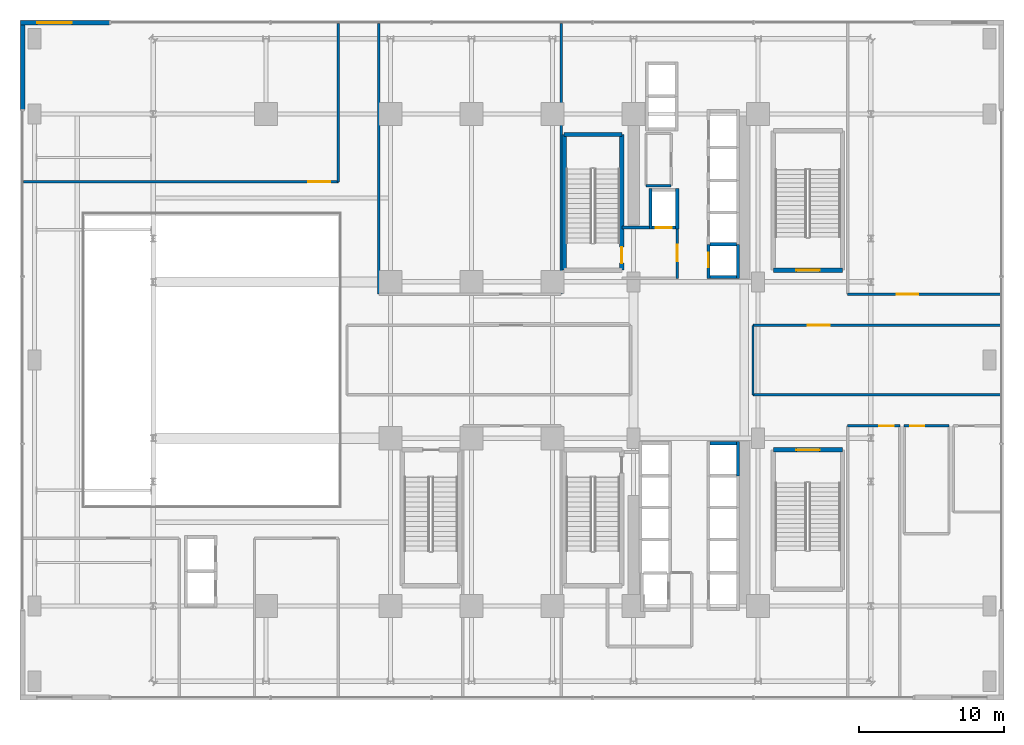
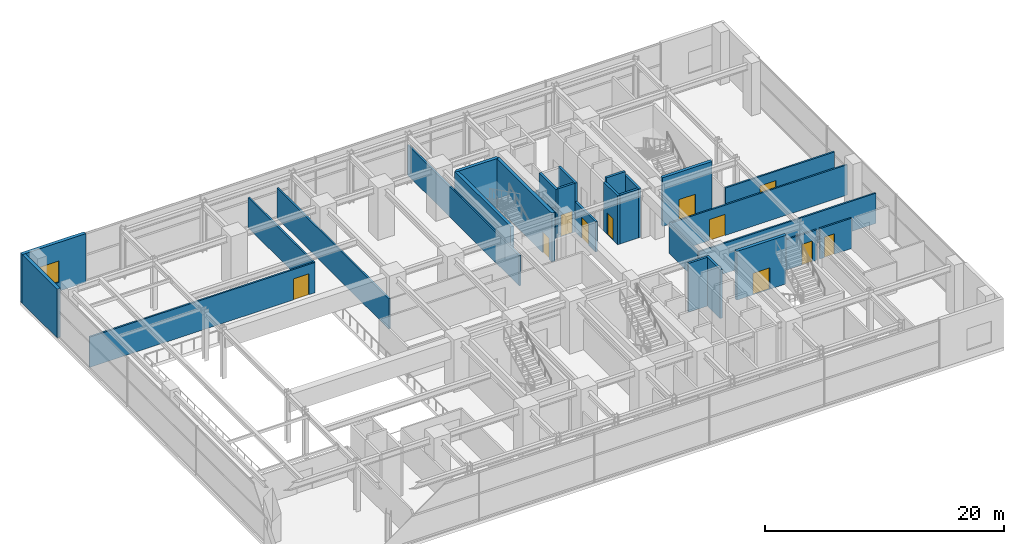
# One storey, part 29 of 35: 29 walls, 11 doors, 1 window, 12 openings.
"""IFC4 building model written with IfcOpenShell, lengths in metres."""

from ifc_helpers import new_model, si_unit, direction, frame, frame_2d, origin, place, context, subcontext, project, spatial, rectangle, extrude, source, transform, mapped, material, layer, layer_set, type_object, element, fill, save


model = new_model("IFC4")

# Units and contexts
model_context = context("Model", 3, precision=1e-05, world=origin(), true_north=direction((0.0, 1.0)))
body_context = subcontext(model_context, "Body", "Model", "MODEL_VIEW")
ifc_project = project(units=[si_unit("LENGTHUNIT", "METRE"), si_unit("AREAUNIT", "SQUARE_METRE"), si_unit("VOLUMEUNIT", "CUBIC_METRE"), si_unit("PLANEANGLEUNIT", "RADIAN"), si_unit("MASSUNIT", "GRAM", prefix="KILO")], contexts=[model_context])

# Site, building, storey
site_placement = place(None, origin())
site = spatial("IfcSite", under=ifc_project, at=site_placement, CompositionType="ELEMENT")
building_placement = place(site_placement, origin())
building = spatial("IfcBuilding", under=site, at=building_placement, Name="Nahalor Promenade Grand Hotel", CompositionType="ELEMENT")
storey_placement = place(building_placement, frame((0.0, 0.0, 21.60009765625)))
storey = spatial("IfcBuildingStorey", under=building, at=storey_placement, Name="L04", CompositionType="ELEMENT", Elevation=21.60009765625)

# Walls
ifc_material_1 = material(Name="Concrete B-50 (C40/50)", Category="concrete")
ifc_layer_1 = layer(ifc_material_1, 0.300048828125)
ifc_layer_set_1 = layer_set([ifc_layer_1], Name="Concrete B-50 (C40/50)")
wall_type_1 = type_object("IfcWallType", Name="Wall-ShaftShear-300", PredefinedType="SHEAR", material=ifc_layer_set_1)
shared_shape_1 = source(origin(), body_context, "Body", "SweptSolid", [
    extrude(rectangle(XDim=3.97998046875, YDim=0.300048828125, at=frame_2d((1.989990234375, 0.0))), origin(), (0.0, 0.0, 1.0), 4.97998046875),
])
wall_1_placement = place(storey_placement, frame((3.610107421875, 15.590087890625, 0.0), z_axis=(0.0, 0.0, 1.0), x_axis=(1.0, 0.0, 0.0)))
element("IfcWall", 1, at=wall_1_placement, inside=storey, type_object=wall_type_1, Name="L04 Exit Stair ST1 Shaft Wall N", PredefinedType="SHEAR", context=body_context, shape_type="MappedRepresentation", body=[
    mapped(shared_shape_1, transform((0.0, 0.0, 0.0), scale=1.0)),
])
shared_shape_2 = source(origin(), body_context, "Body", "SweptSolid", [
    extrude(rectangle(XDim=9.380126953125, YDim=0.300048828125, at=frame_2d((4.68994140625, 0.0))), origin(), (0.0, 0.0, 1.0), 4.97998046875),
])
wall_2_placement = place(storey_placement, frame((3.610107421875, 6.2099609375, 0.0), z_axis=(0.0, 0.0, 1.0), x_axis=(0.0, 1.0, 0.0)))
element("IfcWall", 2, at=wall_2_placement, inside=storey, type_object=wall_type_1, Name="L04 Exit Stair ST1 Shaft Wall W", PredefinedType="SHEAR", context=body_context, shape_type="MappedRepresentation", body=[
    mapped(shared_shape_2, transform((0.0, 0.0, 0.0), scale=1.0)),
])

# Wall, opening, door
wall_3_placement = place(storey_placement, frame((7.590087890625, 6.2099609375, 0.0), z_axis=(0.0, 0.0, 1.0), x_axis=(0.0, 1.0, 0.0)))
wall_3 = element("IfcWall", 3, at=wall_3_placement, inside=storey, type_object=wall_type_1, Name="L04 Exit Stair ST1 Shaft Wall E", PredefinedType="SHEAR", context=body_context, shape_type="MappedRepresentation", body=[
    mapped(shared_shape_2, transform((0.0, 0.0, 0.0), scale=1.0)),
])
opening_1_placement = place(wall_3_placement, frame((0.489990234375, 0.0, 0.0)))
opening_1 = element("IfcOpeningElement", 4, at=opening_1_placement, cuts=wall_3, Name="Opening D-ST1", PredefinedType="OPENING", context=body_context, shape_type="SweptSolid", body=[
    extrude(rectangle(XDim=1.10009765625, YDim=2.14990234375, at=frame_2d((0.550048828125, 1.074951171875))), frame((0.0, 0.159912109375, 0.0), z_axis=(0.0, -1.0, 0.0), x_axis=(1.0, 0.0, 0.0)), (0.0, 0.0, 1.0), 0.320068359375),
])
ifc_material_2 = material(Name="Steel S355JR", Category="steel")
door_type_1 = type_object("IfcDoorType", Name="Door-StairFire-1100", OperationType="NOTDEFINED", PredefinedType="DOOR", material=ifc_material_2)
shared_shape_3 = source(origin(), body_context, "Body", "SweptSolid", [
    extrude(rectangle(XDim=1.10009765625, YDim=2.14990234375, at=frame_2d((0.550048828125, 1.074951171875))), frame((0.0, 0.02490234375, 0.0), z_axis=(0.0, -1.0, 0.0), x_axis=(1.0, 0.0, 0.0)), (0.0, 0.0, 1.0), 0.050048828125),
])
door_1_placement = place(opening_1_placement, origin())
door_1 = element("IfcDoor", 5, at=door_1_placement, inside=storey, type_object=door_type_1, Name="DR-STAIR-ST1-L04", OperationType="SINGLE_SWING_LEFT", OverallHeight=2.14990234375, OverallWidth=1.10009765625, PredefinedType="DOOR", context=body_context, shape_type="MappedRepresentation", body=[
    mapped(shared_shape_3, transform((0.0, 0.0, 0.0), scale=1.0)),
])
fill(opening_1, door_1)

shared_shape_4 = source(origin(), body_context, "Body", "SweptSolid", [
    extrude(rectangle(XDim=4.780029296875, YDim=0.300048828125, at=frame_2d((2.39013671875, 0.0))), origin(), (0.0, 0.0, 1.0), 4.97998046875),
])
wall_4_placement = place(storey_placement, frame((18.06005859375, 6.2099609375, 0.0), z_axis=(0.0, 0.0, 1.0), x_axis=(1.0, 0.0, 0.0)))
wall_4 = element("IfcWall", 6, at=wall_4_placement, inside=storey, type_object=wall_type_1, Name="L04 Exit Stair ST4 Shaft Wall S", PredefinedType="SHEAR", context=body_context, shape_type="MappedRepresentation", body=[
    mapped(shared_shape_4, transform((0.0, 0.0, 0.0), scale=1.0)),
])
opening_2_placement = place(wall_4_placement, frame((1.590087890625, 0.0, 0.0)))
opening_2 = element("IfcOpeningElement", 7, at=opening_2_placement, cuts=wall_4, Name="Opening D-ST2", PredefinedType="OPENING", context=body_context, shape_type="SweptSolid", body=[
    extrude(rectangle(XDim=1.60009765625, YDim=2.199951171875, at=frame_2d((0.800048828125, 1.10009765625))), frame((0.0, 0.159912109375, 0.0), z_axis=(0.0, -1.0, 0.0), x_axis=(1.0, 0.0, 0.0)), (0.0, 0.0, 1.0), 0.320068359375),
])
door_type_2 = type_object("IfcDoorType", Name="Door-StairGrand-1600", OperationType="DOUBLE_DOOR_SINGLE_SWING", PredefinedType="DOOR", material=ifc_material_2)
shared_shape_5 = source(origin(), body_context, "Body", "SweptSolid", [
    extrude(rectangle(XDim=1.60009765625, YDim=2.199951171875, at=frame_2d((0.800048828125, 1.10009765625))), frame((0.0, 0.02490234375, 0.0), z_axis=(0.0, -1.0, 0.0), x_axis=(1.0, 0.0, 0.0)), (0.0, 0.0, 1.0), 0.050048828125),
])
door_2_placement = place(opening_2_placement, origin())
door_2 = element("IfcDoor", 8, at=door_2_placement, inside=storey, type_object=door_type_2, Name="DR-STAIR-ST4-L04", OperationType="DOUBLE_DOOR_SINGLE_SWING", OverallHeight=2.199951171875, OverallWidth=1.60009765625, PredefinedType="DOOR", context=body_context, shape_type="MappedRepresentation", body=[
    mapped(shared_shape_5, transform((0.0, 0.0, 0.0), scale=1.0)),
])
fill(opening_2, door_2)

wall_5_placement = place(storey_placement, frame((18.06005859375, -6.2099609375, 0.0), z_axis=(0.0, 0.0, 1.0), x_axis=(1.0, 0.0, 0.0)))
wall_5 = element("IfcWall", 9, at=wall_5_placement, inside=storey, type_object=wall_type_1, Name="L04 Exit Stair ST5 Shaft Wall N", PredefinedType="SHEAR", context=body_context, shape_type="MappedRepresentation", body=[
    mapped(shared_shape_4, transform((0.0, 0.0, 0.0), scale=1.0)),
])
opening_3_placement = place(wall_5_placement, frame((1.590087890625, 0.0, 0.0)))
opening_3 = element("IfcOpeningElement", 10, at=opening_3_placement, cuts=wall_5, Name="Opening D-ST2", PredefinedType="OPENING", context=body_context, shape_type="SweptSolid", body=[
    extrude(rectangle(XDim=1.60009765625, YDim=2.199951171875, at=frame_2d((0.800048828125, 1.10009765625))), frame((0.0, 0.159912109375, 0.0), z_axis=(0.0, -1.0, 0.0), x_axis=(1.0, 0.0, 0.0)), (0.0, 0.0, 1.0), 0.320068359375),
])
door_3_placement = place(opening_3_placement, frame((1.60009765625, 0.0, 0.0), z_axis=(0.0, 0.0, 1.0), x_axis=(-1.0, 0.0, 0.0)))
door_3 = element("IfcDoor", 11, at=door_3_placement, inside=storey, type_object=door_type_2, Name="DR-STAIR-ST5-L04", OperationType="DOUBLE_DOOR_SINGLE_SWING", OverallHeight=2.199951171875, OverallWidth=1.60009765625, PredefinedType="DOOR", context=body_context, shape_type="MappedRepresentation", body=[
    mapped(shared_shape_5, transform((0.0, 0.0, 0.0), scale=1.0)),
])
fill(opening_3, door_3)

# Wall
ifc_layer_2 = layer(ifc_material_1, 0.219970703125)
ifc_layer_set_2 = layer_set([ifc_layer_2], Name="Concrete B-50 (C40/50)")
wall_type_2 = type_object("IfcWallType", Name="Wall-LiftShaft-220", PredefinedType="SHEAR", material=ifc_layer_set_2)
shared_shape_6 = source(origin(), body_context, "Body", "SweptSolid", [
    extrude(rectangle(XDim=1.820068359375, YDim=0.219970703125, at=frame_2d((0.91015625, 0.0))), origin(), (0.0, 0.0, 1.0), 5.39990234375),
])
wall_6_placement = place(storey_placement, frame((13.68994140625, 8.0, 0.0), z_axis=(0.0, 0.0, 1.0), x_axis=(1.0, 0.0, 0.0)))
element("IfcWall", 12, at=wall_6_placement, inside=storey, type_object=wall_type_2, Name="L04 Lift PL1 Hoistway Wall N", PredefinedType="SHEAR", context=body_context, shape_type="MappedRepresentation", body=[
    mapped(shared_shape_6, transform((0.0, 0.0, 0.0), scale=1.0)),
])

# Wall, opening, door
shared_shape_7 = source(origin(), body_context, "Body", "SweptSolid", [
    extrude(rectangle(XDim=2.360107421875, YDim=0.219970703125, at=frame_2d((1.18017578125, 0.0))), origin(), (0.0, 0.0, 1.0), 4.97998046875),
])
wall_7_placement = place(storey_placement, frame((13.580078125, 5.639892578125, 0.0), z_axis=(0.0, 0.0, 1.0), x_axis=(0.0, 1.0, 0.0)))
wall_7 = element("IfcWall", 13, at=wall_7_placement, inside=storey, type_object=wall_type_2, Name="L04 Lift PL1 Hoistway Wall W", PredefinedType="SHEAR", context=body_context, shape_type="MappedRepresentation", body=[
    mapped(shared_shape_7, transform((0.0, 0.0, 0.0), scale=1.0)),
])
opening_4_placement = place(wall_7_placement, frame((0.760009765625, 0.0, 0.0)))
opening_4 = element("IfcOpeningElement", 14, at=opening_4_placement, cuts=wall_7, Name="Opening LD-01", PredefinedType="OPENING", context=body_context, shape_type="SweptSolid", body=[
    extrude(rectangle(XDim=1.0, YDim=2.199951171875, at=frame_2d((0.5, 1.10009765625))), frame((0.0, 0.119873046875, 0.0), z_axis=(0.0, -1.0, 0.0), x_axis=(1.0, 0.0, 0.0)), (0.0, 0.0, 1.0), 0.239990234375),
])
door_type_3 = type_object("IfcDoorType", Name="Door-LiftLanding-1000", OperationType="DOUBLE_DOOR_SLIDING", PredefinedType="DOOR", material=ifc_material_2)
shared_shape_8 = source(origin(), body_context, "Body", "SweptSolid", [
    extrude(rectangle(XDim=1.0, YDim=2.199951171875, at=frame_2d((0.5, 1.10009765625))), frame((0.0, 0.02490234375, 0.0), z_axis=(0.0, -1.0, 0.0), x_axis=(1.0, 0.0, 0.0)), (0.0, 0.0, 1.0), 0.050048828125),
])
door_4_placement = place(opening_4_placement, origin())
door_4 = element("IfcDoor", 15, at=door_4_placement, inside=storey, type_object=door_type_3, Name="DR-LIFT-PL1-L04", OperationType="DOUBLE_DOOR_SLIDING", OverallHeight=2.199951171875, OverallWidth=1.0, PredefinedType="DOOR", context=body_context, shape_type="MappedRepresentation", body=[
    mapped(shared_shape_8, transform((0.0, 0.0, 0.0), scale=1.0)),
])
fill(opening_4, door_4)

# Walls
for number, where, z_axis, x_axis, name in (
    (16, (15.6201171875, 5.639892578125, 0.0), (0.0, 0.0, 1.0), (0.0, 1.0, 0.0), "L04 Lift PL1 Hoistway Wall E"),
    (17, (15.6201171875, -8.0, 0.0), (0.0, 0.0, 1.0), (0.0, 1.0, 0.0), "L04 Lift PL5 Hoistway Wall E"),
):
    element("IfcWall", number, at=place(storey_placement, frame(where, z_axis=z_axis, x_axis=x_axis)), inside=storey, type_object=wall_type_2, Name=name, PredefinedType="SHEAR", context=body_context, shape_type="MappedRepresentation", body=[
        mapped(shared_shape_7, transform((0.0, 0.0, 0.0), scale=1.0)),
    ])
shared_shape_9 = source(origin(), body_context, "Body", "SweptSolid", [
    extrude(rectangle(XDim=1.820068359375, YDim=0.219970703125, at=frame_2d((0.91015625, 0.0))), origin(), (0.0, 0.0, 1.0), 4.97998046875),
])
for number, where, z_axis, x_axis, name in (
    (18, (13.68994140625, 5.75, 0.0), (0.0, 0.0, 1.0), (1.0, 0.0, 0.0), "L04 Lift PL1 Hoistway Wall S"),
    (19, (13.68994140625, -5.75, 0.0), (0.0, 0.0, 1.0), (1.0, 0.0, 0.0), "L04 Lift PL5 Hoistway Wall N"),
):
    element("IfcWall", number, at=place(storey_placement, frame(where, z_axis=z_axis, x_axis=x_axis)), inside=storey, type_object=wall_type_2, Name=name, PredefinedType="SHEAR", context=body_context, shape_type="MappedRepresentation", body=[
        mapped(shared_shape_9, transform((0.0, 0.0, 0.0), scale=1.0)),
    ])
shared_shape_10 = source(origin(), body_context, "Body", "SweptSolid", [
    extrude(rectangle(XDim=2.820068359375, YDim=0.219970703125, at=frame_2d((1.41015625, 0.0))), origin(), (0.0, 0.0, 1.0), 4.97998046875),
])
for number, where, z_axis, x_axis, name in (
    (20, (9.580078125, 9.0400390625, 0.0), (0.0, 0.0, 1.0), (0.0, 1.0, 0.0), "L04 Lift FL1 Hoistway Wall W"),
    (21, (11.419921875, 9.0400390625, 0.0), (0.0, 0.0, 1.0), (0.0, 1.0, 0.0), "L04 Lift FL1 Hoistway Wall E"),
):
    element("IfcWall", number, at=place(storey_placement, frame(where, z_axis=z_axis, x_axis=x_axis)), inside=storey, type_object=wall_type_2, Name=name, PredefinedType="SHEAR", context=body_context, shape_type="MappedRepresentation", body=[
        mapped(shared_shape_10, transform((0.0, 0.0, 0.0), scale=1.0)),
    ])

# Wall, opening, door
shared_shape_11 = source(origin(), body_context, "Body", "SweptSolid", [
    extrude(rectangle(XDim=1.6201171875, YDim=0.219970703125, at=frame_2d((0.81005859375, 0.0))), origin(), (0.0, 0.0, 1.0), 4.97998046875),
])
wall_8_placement = place(storey_placement, frame((9.68994140625, 9.14990234375, 0.0), z_axis=(0.0, 0.0, 1.0), x_axis=(1.0, 0.0, 0.0)))
wall_8 = element("IfcWall", 22, at=wall_8_placement, inside=storey, type_object=wall_type_2, Name="L04 Lift FL1 Hoistway Wall S", PredefinedType="SHEAR", context=body_context, shape_type="MappedRepresentation", body=[
    mapped(shared_shape_11, transform((0.0, 0.0, 0.0), scale=1.0)),
])
opening_5_placement = place(wall_8_placement, frame((0.260009765625, 0.0, 0.0)))
opening_5 = element("IfcOpeningElement", 23, at=opening_5_placement, cuts=wall_8, Name="Opening LD-02", PredefinedType="OPENING", context=body_context, shape_type="SweptSolid", body=[
    extrude(rectangle(XDim=1.10009765625, YDim=2.199951171875, at=frame_2d((0.550048828125, 1.10009765625))), frame((0.0, 0.119873046875, 0.0), z_axis=(0.0, -1.0, 0.0), x_axis=(1.0, 0.0, 0.0)), (0.0, 0.0, 1.0), 0.239990234375),
])
door_type_4 = type_object("IfcDoorType", Name="Door-LiftFF-1100", OperationType="DOUBLE_DOOR_SLIDING", PredefinedType="DOOR", material=ifc_material_2)
shared_shape_12 = source(origin(), body_context, "Body", "SweptSolid", [
    extrude(rectangle(XDim=1.10009765625, YDim=2.199951171875, at=frame_2d((0.550048828125, 1.10009765625))), frame((0.0, 0.02490234375, 0.0), z_axis=(0.0, -1.0, 0.0), x_axis=(1.0, 0.0, 0.0)), (0.0, 0.0, 1.0), 0.050048828125),
])
door_5_placement = place(opening_5_placement, frame((1.10009765625, 0.0, 0.0), z_axis=(0.0, 0.0, 1.0), x_axis=(-1.0, 0.0, 0.0)))
door_5 = element("IfcDoor", 24, at=door_5_placement, inside=storey, type_object=door_type_4, Name="DR-LIFT-FL1-L04", OperationType="DOUBLE_DOOR_SLIDING", OverallHeight=2.199951171875, OverallWidth=1.10009765625, PredefinedType="DOOR", context=body_context, shape_type="MappedRepresentation", body=[
    mapped(shared_shape_12, transform((0.0, 0.0, 0.0), scale=1.0)),
])
fill(opening_5, door_5)

# Wall, opening, window
ifc_material_3 = material(Name="Concrete B-40 (C32/40)", Category="concrete")
ifc_layer_3 = layer(ifc_material_3, 0.320068359375)
ifc_layer_set_3 = layer_set([ifc_layer_3], Name="Concrete B-40 (C32/40)")
wall_type_3 = type_object("IfcWallType", Name="Wall-LimestonePier-320", PredefinedType="STANDARD", material=ifc_layer_set_3)
shared_shape_13 = source(origin(), body_context, "Body", "SweptSolid", [
    extrude(rectangle(XDim=6.159912109375, YDim=0.320068359375, at=frame_2d((3.080078125, 0.0))), origin(), (0.0, 0.0, 1.0), 4.97998046875),
])
wall_9_placement = place(storey_placement, frame((-33.97998046875, 23.320068359375, 0.0), z_axis=(0.0, 0.0, 1.0), x_axis=(1.0, 0.0, 0.0)))
wall_9 = element("IfcWall", 25, at=wall_9_placement, inside=storey, type_object=wall_type_3, Name="W-L04-CRN-NW-X", PredefinedType="STANDARD", context=body_context, shape_type="MappedRepresentation", body=[
    mapped(shared_shape_13, transform((0.0, 0.0, 0.0), scale=1.0)),
])
opening_6_placement = place(wall_9_placement, frame((1.159912109375, 0.0, 0.89990234375)))
opening_6 = element("IfcOpeningElement", 26, at=opening_6_placement, cuts=wall_9, Name="Opening WN-02", PredefinedType="OPENING", context=body_context, shape_type="SweptSolid", body=[
    extrude(rectangle(XDim=2.39990234375, YDim=2.199951171875, at=frame_2d((1.199951171875, 1.10009765625))), frame((0.0, 0.169921875, 0.0), z_axis=(0.0, -1.0, 0.0), x_axis=(1.0, 0.0, 0.0)), (0.0, 0.0, 1.0), 0.340087890625),
])
ifc_material_4 = material(Name="Low-E Laminated Solar Glass", Category="glass")
window_type = type_object("IfcWindowType", Name="Win-PodiumArch-2400x2200", PartitioningType="SINGLE_PANEL", PredefinedType="WINDOW", material=ifc_material_4)
shared_shape_14 = source(origin(), body_context, "Body", "SweptSolid", [
    extrude(rectangle(XDim=2.39990234375, YDim=2.199951171875, at=frame_2d((1.199951171875, 1.10009765625))), frame((0.0, 0.030029296875, 0.0), z_axis=(0.0, -1.0, 0.0), x_axis=(1.0, 0.0, 0.0)), (0.0, 0.0, 1.0), 0.06005859375),
])
window_placement = place(opening_6_placement, origin())
window = element("IfcWindow", 27, at=window_placement, inside=storey, type_object=window_type, Name="WN-L04-NW-X", OverallHeight=2.199951171875, OverallWidth=2.39990234375, PartitioningType="SINGLE_PANEL", PredefinedType="WINDOW", context=body_context, shape_type="MappedRepresentation", body=[
    mapped(shared_shape_14, transform((0.0, 0.0, 0.0), scale=1.0)),
])
fill(opening_6, window)

# Walls
shared_shape_15 = source(origin(), body_context, "Body", "SweptSolid", [
    extrude(rectangle(XDim=5.83984375, YDim=0.320068359375, at=frame_2d((2.919921875, 0.0))), origin(), (0.0, 0.0, 1.0), 4.97998046875),
])
wall_10_placement = place(storey_placement, frame((-33.820068359375, 17.320068359375, 0.0), z_axis=(0.0, 0.0, 1.0), x_axis=(0.0, 1.0, 0.0)))
element("IfcWall", 28, at=wall_10_placement, inside=storey, type_object=wall_type_3, Name="W-L04-CRN-NW-Y", PredefinedType="STANDARD", context=body_context, shape_type="MappedRepresentation", body=[
    mapped(shared_shape_15, transform((0.0, 0.0, 0.0), scale=1.0)),
])
ifc_layer_4 = layer(ifc_material_3, 0.199951171875)
ifc_layer_set_4 = layer_set([ifc_layer_4], Name="Concrete B-40 (C32/40)")
wall_type_4 = type_object("IfcWallType", Name="Wall-PartFire-200", PredefinedType="PARTITIONING", material=ifc_layer_set_4)
shared_shape_16 = source(origin(), body_context, "Body", "SweptSolid", [
    extrude(rectangle(XDim=1.89990234375, YDim=0.199951171875, at=frame_2d((0.949951171875, 0.0))), origin(), (0.0, 0.0, 1.0), 3.099853515625),
])
wall_11_placement = place(storey_placement, frame((7.60009765625, 9.14990234375, 0.0), z_axis=(0.0, 0.0, 1.0), x_axis=(1.0, 0.0, 0.0)))
element("IfcWall", 29, at=wall_11_placement, inside=storey, type_object=wall_type_4, Name="W-L04-FF1-N", PredefinedType="PARTITIONING", context=body_context, shape_type="MappedRepresentation", body=[
    mapped(shared_shape_16, transform((0.0, 0.0, 0.0), scale=1.0)),
])

# Wall, opening, door
shared_shape_17 = source(origin(), body_context, "Body", "SweptSolid", [
    extrude(rectangle(XDim=3.5, YDim=0.199951171875, at=frame_2d((1.75, 0.0))), origin(), (0.0, 0.0, 1.0), 3.099853515625),
])
wall_12_placement = place(storey_placement, frame((11.419921875, 5.64990234375, 0.0), z_axis=(0.0, 0.0, 1.0), x_axis=(0.0, 1.0, 0.0)))
wall_12 = element("IfcWall", 30, at=wall_12_placement, inside=storey, type_object=wall_type_4, Name="W-L04-FF1-E", PredefinedType="PARTITIONING", context=body_context, shape_type="MappedRepresentation", body=[
    mapped(shared_shape_17, transform((0.0, 0.0, 0.0), scale=1.0)),
])
opening_7_placement = place(wall_12_placement, frame((1.175048828125, 0.0, 0.0)))
opening_7 = element("IfcOpeningElement", 31, at=opening_7_placement, cuts=wall_12, Name="Opening D-FF1", PredefinedType="OPENING", context=body_context, shape_type="SweptSolid", body=[
    extrude(rectangle(XDim=1.14990234375, YDim=2.14990234375, at=frame_2d((0.574951171875, 1.074951171875))), frame((0.0, 0.10986328125, 0.0), z_axis=(0.0, -1.0, 0.0), x_axis=(1.0, 0.0, 0.0)), (0.0, 0.0, 1.0), 0.219970703125),
])
door_type_5 = type_object("IfcDoorType", Name="Door-FFLobby-1150", OperationType="NOTDEFINED", PredefinedType="DOOR", material=ifc_material_2)
shared_shape_18 = source(origin(), body_context, "Body", "SweptSolid", [
    extrude(rectangle(XDim=1.14990234375, YDim=2.14990234375, at=frame_2d((0.574951171875, 1.074951171875))), frame((0.0, 0.02490234375, 0.0), z_axis=(0.0, -1.0, 0.0), x_axis=(1.0, 0.0, 0.0)), (0.0, 0.0, 1.0), 0.050048828125),
])
door_6_placement = place(opening_7_placement, frame((1.14990234375, 0.0, 0.0), z_axis=(0.0, 0.0, 1.0), x_axis=(-1.0, 0.0, 0.0)))
door_6 = element("IfcDoor", 32, at=door_6_placement, inside=storey, type_object=door_type_5, Name="DR-L04-FFL1", OperationType="SINGLE_SWING_LEFT", OverallHeight=2.14990234375, OverallWidth=1.14990234375, PredefinedType="DOOR", context=body_context, shape_type="MappedRepresentation", body=[
    mapped(shared_shape_18, transform((0.0, 0.0, 0.0), scale=1.0)),
])
fill(opening_7, door_6)

# Walls
ifc_material_5 = material(Name="Acoustic Mineral Gypsum", Category="gypsum")
ifc_layer_5 = layer(ifc_material_5, 0.14990234375)
ifc_layer_set_5 = layer_set([ifc_layer_5], Name="Acoustic Mineral Gypsum")
wall_type_5 = type_object("IfcWallType", Name="Wall-PartService-150", PredefinedType="PARTITIONING", material=ifc_layer_set_5)
shared_shape_19 = source(origin(), body_context, "Body", "SweptSolid", [
    extrude(rectangle(XDim=1.75, YDim=0.14990234375, at=frame_2d((0.875, 0.0))), origin(), (0.0, 0.0, 1.0), 3.099853515625),
])
wall_13_placement = place(storey_placement, frame((9.25, 12.050048828125, 0.0), z_axis=(0.0, 0.0, 1.0), x_axis=(1.0, 0.0, 0.0)))
element("IfcWall", 33, at=wall_13_placement, inside=storey, type_object=wall_type_5, Name="W-L04-CK1A-S", PredefinedType="PARTITIONING", context=body_context, shape_type="MappedRepresentation", body=[
    mapped(shared_shape_19, transform((0.0, 0.0, 0.0), scale=1.0)),
])
ifc_layer_6 = layer(ifc_material_5, 0.159912109375)
ifc_layer_set_6 = layer_set([ifc_layer_6], Name="Acoustic Mineral Gypsum")
wall_type_6 = type_object("IfcWallType", Name="Wall-PartCorridor-160", PredefinedType="PARTITIONING", material=ifc_layer_set_6)
shared_shape_20 = source(origin(), body_context, "Body", "SweptSolid", [
    extrude(rectangle(XDim=4.7998046875, YDim=0.159912109375, at=frame_2d((2.39990234375, 0.0))), origin(), (0.0, 0.0, 1.0), 3.099853515625),
])
wall_14_placement = place(storey_placement, frame((16.64990234375, -2.39990234375, 0.0), z_axis=(0.0, 0.0, 1.0), x_axis=(0.0, 1.0, 0.0)))
element("IfcWall", 34, at=wall_14_placement, inside=storey, type_object=wall_type_6, Name="W-L04-PR02-W", PredefinedType="PARTITIONING", context=body_context, shape_type="MappedRepresentation", body=[
    mapped(shared_shape_20, transform((0.0, 0.0, 0.0), scale=1.0)),
])
shared_shape_21 = source(origin(), body_context, "Body", "SweptSolid", [
    extrude(rectangle(XDim=17.110107421875, YDim=0.159912109375, at=frame_2d((8.55517578125, 0.0))), origin(), (0.0, 0.0, 1.0), 3.099853515625),
])
wall_15_placement = place(storey_placement, frame((16.64990234375, -2.39990234375, 0.0), z_axis=(0.0, 0.0, 1.0), x_axis=(1.0, 0.0, 0.0)))
element("IfcWall", 35, at=wall_15_placement, inside=storey, type_object=wall_type_6, Name="W-L04-PR02-S", PredefinedType="PARTITIONING", context=body_context, shape_type="MappedRepresentation", body=[
    mapped(shared_shape_21, transform((0.0, 0.0, 0.0), scale=1.0)),
])

# Wall, opening, door
wall_16_placement = place(storey_placement, frame((16.64990234375, 2.39990234375, 0.0), z_axis=(0.0, 0.0, 1.0), x_axis=(1.0, 0.0, 0.0)))
wall_16 = element("IfcWall", 36, at=wall_16_placement, inside=storey, type_object=wall_type_6, Name="W-L04-PR02-N", PredefinedType="PARTITIONING", context=body_context, shape_type="MappedRepresentation", body=[
    mapped(shared_shape_21, transform((0.0, 0.0, 0.0), scale=1.0)),
])
opening_8_placement = place(wall_16_placement, frame((3.801025390625, 0.0, 0.0)))
opening_8 = element("IfcOpeningElement", 37, at=opening_8_placement, cuts=wall_16, Name="Opening D-02", PredefinedType="OPENING", context=body_context, shape_type="SweptSolid", body=[
    extrude(rectangle(XDim=1.5, YDim=2.14990234375, at=frame_2d((0.75, 1.074951171875))), frame((0.0, 0.08984375, 0.0), z_axis=(0.0, -1.0, 0.0), x_axis=(1.0, 0.0, 0.0)), (0.0, 0.0, 1.0), 0.179931640625),
])
ifc_material_6 = material(Name="Fire-Rated Timber Composite", Category="wood")
door_type_6 = type_object("IfcDoorType", Name="Door-SuiteDouble-1500", OperationType="DOUBLE_DOOR_SINGLE_SWING", PredefinedType="DOOR", material=ifc_material_6)
shared_shape_22 = source(origin(), body_context, "Body", "SweptSolid", [
    extrude(rectangle(XDim=1.5, YDim=2.14990234375, at=frame_2d((0.75, 1.074951171875))), frame((0.0, 0.02490234375, 0.0), z_axis=(0.0, -1.0, 0.0), x_axis=(1.0, 0.0, 0.0)), (0.0, 0.0, 1.0), 0.050048828125),
])
door_7_placement = place(opening_8_placement, frame((1.5, 0.0, 0.0), z_axis=(0.0, 0.0, 1.0), x_axis=(-1.0, 0.0, 0.0)))
door_7 = element("IfcDoor", 38, at=door_7_placement, inside=storey, type_object=door_type_6, Name="DR-L04-PR02", OperationType="DOUBLE_DOOR_SINGLE_SWING", OverallHeight=2.14990234375, OverallWidth=1.5, PredefinedType="DOOR", context=body_context, shape_type="MappedRepresentation", body=[
    mapped(shared_shape_22, transform((0.0, 0.0, 0.0), scale=1.0)),
])
fill(opening_8, door_7)

shared_shape_23 = source(origin(), body_context, "Body", "SweptSolid", [
    extrude(rectangle(XDim=21.760009765625, YDim=0.159912109375, at=frame_2d((10.8798828125, 0.0))), origin(), (0.0, 0.0, 1.0), 3.099853515625),
])
wall_17_placement = place(storey_placement, frame((-33.760009765625, 12.320068359375, 0.0), z_axis=(0.0, 0.0, 1.0), x_axis=(1.0, 0.0, 0.0)))
wall_17 = element("IfcWall", 39, at=wall_17_placement, inside=storey, type_object=wall_type_6, Name="W-L04-PR03-S", PredefinedType="PARTITIONING", context=body_context, shape_type="MappedRepresentation", body=[
    mapped(shared_shape_23, transform((0.0, 0.0, 0.0), scale=1.0)),
])
opening_9_placement = place(wall_17_placement, frame((19.695068359375, 0.0, 0.0)))
opening_9 = element("IfcOpeningElement", 40, at=opening_9_placement, cuts=wall_17, Name="Opening D-02", PredefinedType="OPENING", context=body_context, shape_type="SweptSolid", body=[
    extrude(rectangle(XDim=1.5, YDim=2.14990234375, at=frame_2d((0.75, 1.074951171875))), frame((0.0, 0.08984375, 0.0), z_axis=(0.0, -1.0, 0.0), x_axis=(1.0, 0.0, 0.0)), (0.0, 0.0, 1.0), 0.179931640625),
])
door_8_placement = place(opening_9_placement, origin())
door_8 = element("IfcDoor", 41, at=door_8_placement, inside=storey, type_object=door_type_6, Name="DR-L04-PR03", OperationType="DOUBLE_DOOR_SINGLE_SWING", OverallHeight=2.14990234375, OverallWidth=1.5, PredefinedType="DOOR", context=body_context, shape_type="MappedRepresentation", body=[
    mapped(shared_shape_22, transform((0.0, 0.0, 0.0), scale=1.0)),
])
fill(opening_9, door_8)

# Walls
shared_shape_24 = source(origin(), body_context, "Body", "SweptSolid", [
    extrude(rectangle(XDim=10.93994140625, YDim=0.159912109375, at=frame_2d((5.469970703125, 0.0))), origin(), (0.0, 0.0, 1.0), 3.099853515625),
])
wall_18_placement = place(storey_placement, frame((-12.0, 12.320068359375, 0.0), z_axis=(0.0, 0.0, 1.0), x_axis=(0.0, 1.0, 0.0)))
element("IfcWall", 42, at=wall_18_placement, inside=storey, type_object=wall_type_6, Name="W-L04-PR03-E", PredefinedType="PARTITIONING", context=body_context, shape_type="MappedRepresentation", body=[
    mapped(shared_shape_24, transform((0.0, 0.0, 0.0), scale=1.0)),
])
shared_shape_25 = source(origin(), body_context, "Body", "SweptSolid", [
    extrude(rectangle(XDim=18.7099609375, YDim=0.159912109375, at=frame_2d((9.35498046875, 0.0))), origin(), (0.0, 0.0, 1.0), 3.099853515625),
])
for number, where, z_axis, x_axis, name in (
    (43, (-9.199951171875, 4.550048828125, 0.0), (0.0, 0.0, 1.0), (0.0, 1.0, 0.0), "W-L04-PR04-W"),
    (44, (3.39990234375, 4.550048828125, 0.0), (0.0, 0.0, 1.0), (0.0, 1.0, 0.0), "W-L04-PR04-E"),
):
    element("IfcWall", number, at=place(storey_placement, frame(where, z_axis=z_axis, x_axis=x_axis)), inside=storey, type_object=wall_type_6, Name=name, PredefinedType="PARTITIONING", context=body_context, shape_type="MappedRepresentation", body=[
        mapped(shared_shape_25, transform((0.0, 0.0, 0.0), scale=1.0)),
    ])

# Wall, opening, door
shared_shape_26 = source(origin(), body_context, "Body", "SweptSolid", [
    extrude(rectangle(XDim=10.56005859375, YDim=0.159912109375, at=frame_2d((5.280029296875, 0.0))), origin(), (0.0, 0.0, 1.0), 3.099853515625),
])
wall_19_placement = place(storey_placement, frame((23.199951171875, 4.550048828125, 0.0), z_axis=(0.0, 0.0, 1.0), x_axis=(1.0, 0.0, 0.0)))
wall_19 = element("IfcWall", 45, at=wall_19_placement, inside=storey, type_object=wall_type_6, Name="W-L04-PR08-S", PredefinedType="PARTITIONING", context=body_context, shape_type="MappedRepresentation", body=[
    mapped(shared_shape_26, transform((0.0, 0.0, 0.0), scale=1.0)),
])
opening_10_placement = place(wall_19_placement, frame((3.382080078125, 0.0, 0.0)))
opening_10 = element("IfcOpeningElement", 46, at=opening_10_placement, cuts=wall_19, Name="Opening D-02", PredefinedType="OPENING", context=body_context, shape_type="SweptSolid", body=[
    extrude(rectangle(XDim=1.5, YDim=2.14990234375, at=frame_2d((0.75, 1.074951171875))), frame((0.0, 0.08984375, 0.0), z_axis=(0.0, -1.0, 0.0), x_axis=(1.0, 0.0, 0.0)), (0.0, 0.0, 1.0), 0.179931640625),
])
door_9_placement = place(opening_10_placement, origin())
door_9 = element("IfcDoor", 47, at=door_9_placement, inside=storey, type_object=door_type_6, Name="DR-L04-PR08", OperationType="DOUBLE_DOOR_SINGLE_SWING", OverallHeight=2.14990234375, OverallWidth=1.5, PredefinedType="DOOR", context=body_context, shape_type="MappedRepresentation", body=[
    mapped(shared_shape_22, transform((0.0, 0.0, 0.0), scale=1.0)),
])
fill(opening_10, door_9)

shared_shape_27 = source(origin(), body_context, "Body", "SweptSolid", [
    extrude(rectangle(XDim=3.60009765625, YDim=0.159912109375, at=frame_2d((1.800048828125, 0.0))), origin(), (0.0, 0.0, 1.0), 3.099853515625),
])
wall_20_placement = place(storey_placement, frame((23.199951171875, -4.550048828125, 0.0), z_axis=(0.0, 0.0, 1.0), x_axis=(1.0, 0.0, 0.0)))
wall_20 = element("IfcWall", 48, at=wall_20_placement, inside=storey, type_object=wall_type_6, Name="W-L04-PR09-N", PredefinedType="PARTITIONING", context=body_context, shape_type="MappedRepresentation", body=[
    mapped(shared_shape_27, transform((0.0, 0.0, 0.0), scale=1.0)),
])
opening_11_placement = place(wall_20_placement, frame((2.179931640625, 0.0, 0.0)))
opening_11 = element("IfcOpeningElement", 49, at=opening_11_placement, cuts=wall_20, Name="Opening D-04", PredefinedType="OPENING", context=body_context, shape_type="SweptSolid", body=[
    extrude(rectangle(XDim=1.0, YDim=2.10009765625, at=frame_2d((0.5, 1.050048828125))), frame((0.0, 0.08984375, 0.0), z_axis=(0.0, -1.0, 0.0), x_axis=(1.0, 0.0, 0.0)), (0.0, 0.0, 1.0), 0.179931640625),
])
door_type_7 = type_object("IfcDoorType", Name="Door-ServiceFire-1000", OperationType="NOTDEFINED", PredefinedType="DOOR", material=ifc_material_2)
shared_shape_28 = source(origin(), body_context, "Body", "SweptSolid", [
    extrude(rectangle(XDim=1.0, YDim=2.10009765625, at=frame_2d((0.5, 1.050048828125))), frame((0.0, 0.02490234375, 0.0), z_axis=(0.0, -1.0, 0.0), x_axis=(1.0, 0.0, 0.0)), (0.0, 0.0, 1.0), 0.050048828125),
])
door_10_placement = place(opening_11_placement, frame((1.0, 0.0, 0.0), z_axis=(0.0, 0.0, 1.0), x_axis=(-1.0, 0.0, 0.0)))
door_10 = element("IfcDoor", 50, at=door_10_placement, inside=storey, type_object=door_type_7, Name="DR-L04-PR09", OperationType="SINGLE_SWING_RIGHT", OverallHeight=2.10009765625, OverallWidth=1.0, PredefinedType="DOOR", context=body_context, shape_type="MappedRepresentation", body=[
    mapped(shared_shape_28, transform((0.0, 0.0, 0.0), scale=1.0)),
])
fill(opening_11, door_10)

shared_shape_29 = source(origin(), body_context, "Body", "SweptSolid", [
    extrude(rectangle(XDim=3.099853515625, YDim=0.159912109375, at=frame_2d((1.5498046875, 0.0))), origin(), (0.0, 0.0, 1.0), 3.099853515625),
])
wall_21_placement = place(storey_placement, frame((27.10009765625, -4.550048828125, 0.0), z_axis=(0.0, 0.0, 1.0), x_axis=(1.0, 0.0, 0.0)))
wall_21 = element("IfcWall", 51, at=wall_21_placement, inside=storey, type_object=wall_type_6, Name="W-L04-PR10-N", PredefinedType="PARTITIONING", context=body_context, shape_type="MappedRepresentation", body=[
    mapped(shared_shape_29, transform((0.0, 0.0, 0.0), scale=1.0)),
])
opening_12_placement = place(wall_21_placement, frame((0.4189453125, 0.0, 0.0)))
opening_12 = element("IfcOpeningElement", 52, at=opening_12_placement, cuts=wall_21, Name="Opening D-05", PredefinedType="OPENING", context=body_context, shape_type="SweptSolid", body=[
    extrude(rectangle(XDim=0.97998046875, YDim=2.10009765625, at=frame_2d((0.489990234375, 1.050048828125))), frame((0.0, 0.08984375, 0.0), z_axis=(0.0, -1.0, 0.0), x_axis=(1.0, 0.0, 0.0)), (0.0, 0.0, 1.0), 0.179931640625),
])
door_type_8 = type_object("IfcDoorType", Name="Door-AccessibleWC-980", OperationType="NOTDEFINED", PredefinedType="DOOR", material=ifc_material_6)
shared_shape_30 = source(origin(), body_context, "Body", "SweptSolid", [
    extrude(rectangle(XDim=0.97998046875, YDim=2.10009765625, at=frame_2d((0.489990234375, 1.050048828125))), frame((0.0, 0.02490234375, 0.0), z_axis=(0.0, -1.0, 0.0), x_axis=(1.0, 0.0, 0.0)), (0.0, 0.0, 1.0), 0.050048828125),
])
door_11_placement = place(opening_12_placement, frame((0.97998046875, 0.0, 0.0), z_axis=(0.0, 0.0, 1.0), x_axis=(-1.0, 0.0, 0.0)))
door_11 = element("IfcDoor", 53, at=door_11_placement, inside=storey, type_object=door_type_8, Name="DR-L04-PR10", OperationType="SINGLE_SWING_LEFT", OverallHeight=2.10009765625, OverallWidth=0.97998046875, PredefinedType="DOOR", context=body_context, shape_type="MappedRepresentation", body=[
    mapped(shared_shape_30, transform((0.0, 0.0, 0.0), scale=1.0)),
])
fill(opening_12, door_11)

save(model, "model.ifc")
